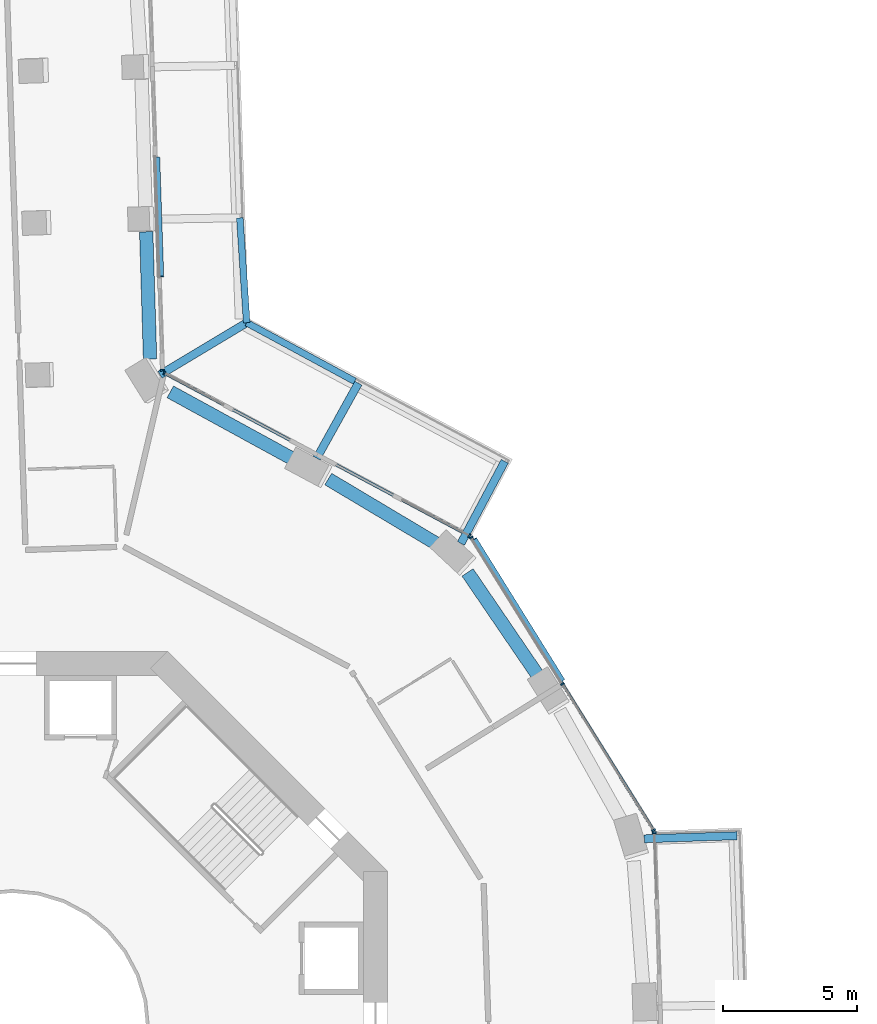
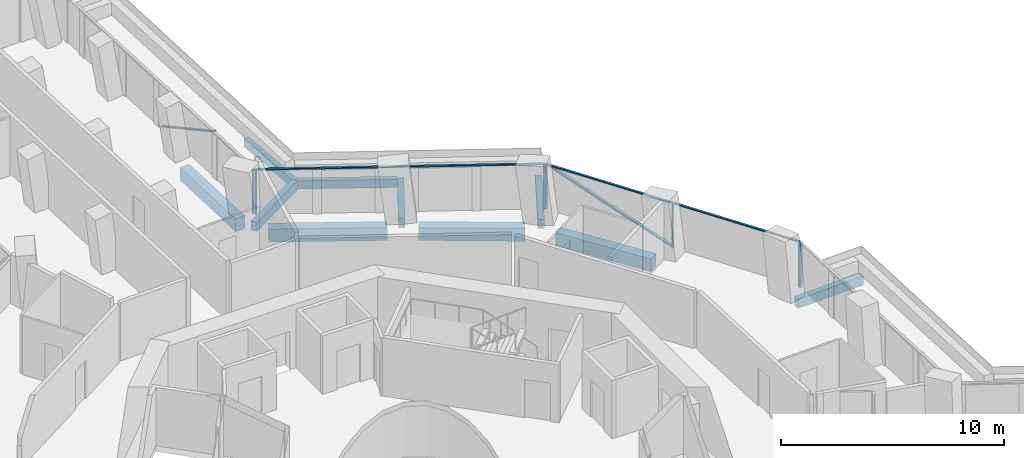
# One storey, part 10 of 27: 11 members, 10 beams, 4 elements without a shape of their own.
"""IFC4 building model written with IfcOpenShell, lengths in metres."""

import ifcopenshell
import ifcopenshell.guid

model = None  # the IFC model being written
_history = None  # IfcOwnerHistory: only IFC2X3 demands one
_inside = {}  # id of a spatial element -> (the spatial element, [elements in it])
_under = {}  # id of a project, library or spatial element -> (it, [spatial elements below it])
_declared = {}  # id of a project -> (the project, [libraries it declares])
_typed = {}  # id of a type object -> (the type object, [elements of that type])
_made_of = {}  # id of a material, layer set ... -> (it, [elements and type objects made of it])


def new_model(schema):
    """Start an empty IFC model of exactly this schema.

    Asked for "IFC4X3", IfcOpenShell would pick the latest addendum, in which some entities
    have other attributes; the version numbers below select the first issue.
    IFC2X3 requires an IfcOwnerHistory on every rooted entity: one is made here for all.
    """
    global model, _history
    if schema == "IFC4X3":
        model = ifcopenshell.file(schema_version=(4, 3, 0, 0))
    else:
        model = ifcopenshell.file(schema=schema)
    _inside.clear()
    _under.clear()
    _declared.clear()
    _typed.clear()
    _made_of.clear()
    _history = None
    if model.schema == "IFC2X3":
        org = make("IfcOrganization", Name="unknown")
        user = make(
            "IfcPersonAndOrganization",
            ThePerson=make("IfcPerson", FamilyName="unknown"),
            TheOrganization=org,
        )
        app = make(
            "IfcApplication",
            ApplicationDeveloper=org,
            Version="unknown",
            ApplicationFullName="unknown",
            ApplicationIdentifier="unknown",
        )
        _history = make(
            "IfcOwnerHistory",
            OwningUser=user,
            OwningApplication=app,
            ChangeAction="ADDED",
            CreationDate=0,
        )
    return model


def make(cls, **values):
    """One entity of the class cls with the attributes given. An attribute that is None is left unset."""
    return model.create_entity(
        cls, **{name: value for name, value in values.items() if value is not None}
    )


def rooted(cls, **values):
    """An entity with a GlobalId (a new one), such as an element, a storey or a relation."""
    return make(cls, GlobalId=ifcopenshell.guid.new(), OwnerHistory=_history, **values)


def si_unit(unit_type, name, prefix=None):
    """IfcSIUnit, for example si_unit("LENGTHUNIT", "METRE", prefix="MILLI")."""
    return make("IfcSIUnit", UnitType=unit_type, Prefix=prefix, Name=name)


def assignment(units):
    """IfcUnitAssignment: the units of a project."""
    return None if units is None else make("IfcUnitAssignment", Units=units)


def point(xyz):
    """IfcCartesianPoint."""
    return None if xyz is None else make("IfcCartesianPoint", Coordinates=xyz)


def direction(xyz):
    """IfcDirection."""
    return None if xyz is None else make("IfcDirection", DirectionRatios=xyz)


def frame(location, z_axis=None, x_axis=None):
    """IfcAxis2Placement3D, a coordinate frame: its origin and axes. An axis left out is left unset."""
    return make(
        "IfcAxis2Placement3D",
        Location=point(location),
        Axis=direction(z_axis),
        RefDirection=direction(x_axis),
    )


def frame_2d(location, x_axis=None):
    """IfcAxis2Placement2D, a coordinate frame in the plane: its origin and x axis."""
    return make(
        "IfcAxis2Placement2D", Location=point(location), RefDirection=direction(x_axis)
    )


def origin():
    """The frame at (0, 0, 0) with its axes left unset."""
    return frame((0.0, 0.0, 0.0))


def origin_2d():
    """The frame at (0, 0) in the plane with its x axis left unset."""
    return frame_2d((0.0, 0.0))


def place(relative_to, where):
    """IfcLocalPlacement: puts the frame where relative to a parent placement (None: the world)."""
    return make(
        "IfcLocalPlacement", PlacementRelTo=relative_to, RelativePlacement=where
    )


def context(
    kind, dimensions, precision=None, world=None, true_north=None, identifier=None
):
    """IfcGeometricRepresentationContext, for example the 3D "Model" context."""
    return make(
        "IfcGeometricRepresentationContext",
        ContextIdentifier=identifier,
        ContextType=kind,
        CoordinateSpaceDimension=dimensions,
        Precision=precision,
        WorldCoordinateSystem=world,
        TrueNorth=true_north,
    )


def subcontext(parent, identifier, kind, view, scale=None):
    """IfcGeometricRepresentationSubContext, for example "Body" below "Model"."""
    return make(
        "IfcGeometricRepresentationSubContext",
        ContextIdentifier=identifier,
        ContextType=kind,
        ParentContext=parent,
        TargetScale=scale,
        TargetView=view,
    )


def project(units=None, contexts=None):
    """IfcProject with its units and contexts."""
    return rooted(
        "IfcProject",
        Name="project",
        RepresentationContexts=contexts,
        UnitsInContext=assignment(units),
    )


def spatial(cls, under=None, at=None, **own):
    """A site, building, storey or space (cls), placed at a placement, below another one or the project."""
    s = rooted(cls, ObjectPlacement=at, **own)
    if under is not None:
        _under.setdefault(under.id(), (under, []))[1].append(s)
    return s


def profile(cls, at=None, kind="AREA", **sizes):
    """A parametric profile (cls). Its sizes go by their IFC names, for example OverallWidth=200.0."""
    return make(cls, ProfileType=kind, Position=at, **sizes)


def rectangle(**sizes):
    """IfcRectangleProfileDef."""
    return profile("IfcRectangleProfileDef", **sizes)


def extrude(swept, where, along, depth):
    """IfcExtrudedAreaSolid: the profile swept, set in the frame where, extruded along a direction by depth."""
    return make(
        "IfcExtrudedAreaSolid",
        SweptArea=swept,
        Position=where,
        ExtrudedDirection=direction(along),
        Depth=depth,
    )


def shape(context_of_items, identifier, shape_type, items):
    """IfcShapeRepresentation: the items that make up one representation, for example the "Body"."""
    return make(
        "IfcShapeRepresentation",
        ContextOfItems=context_of_items,
        RepresentationIdentifier=identifier,
        RepresentationType=shape_type,
        Items=items,
    )


def material(Name=None, Category=None):
    """IfcMaterial."""
    return make("IfcMaterial", Name=Name, Category=Category)


def layer(
    of_material, thickness, ventilated=None, Name=None, Category=None, Priority=None
):
    """IfcMaterialLayer: one layer of a wall or slab, of a material (None: an air gap)."""
    return make(
        "IfcMaterialLayer",
        Material=of_material,
        LayerThickness=thickness,
        IsVentilated=ventilated,
        Name=Name,
        Category=Category,
        Priority=Priority,
    )


def layer_set(layers, Name=None):
    """IfcMaterialLayerSet."""
    return make("IfcMaterialLayerSet", MaterialLayers=layers, LayerSetName=Name)


def material_profile(
    of_material, cross_section, Name=None, Category=None, Priority=None
):
    """IfcMaterialProfile: a cross section and its material."""
    return make(
        "IfcMaterialProfile",
        Name=Name,
        Material=of_material,
        Profile=cross_section,
        Priority=Priority,
        Category=Category,
    )


def profile_set(profiles, Name=None, composite=None):
    """IfcMaterialProfileSet."""
    return make(
        "IfcMaterialProfileSet",
        Name=Name,
        MaterialProfiles=profiles,
        CompositeProfile=composite,
    )


def made_of(thing, what):
    """Note that an element or type object is made of a material, layer set ...; save() writes the relation."""
    if what is not None:
        _made_of.setdefault(what.id(), (what, []))[1].append(thing)
    return thing


def type_object(cls, material=None, **own):
    """A type object (cls), such as IfcWallType, which elements share."""
    return made_of(rooted(cls, **own), material)


def element(
    cls,
    number,
    at=None,
    inside=None,
    cuts=None,
    type_object=None,
    material=None,
    context=None,
    identifier="Body",
    shape_type=None,
    held_by="IfcProductDefinitionShape",
    body=None,
    shapes=None,
    **own,
):
    """One element of the class cls, such as IfcWall. Its Tag is "e" and its number.

    at: its placement. inside: the storey or other place that contains it. cuts: it is an
    opening in that element (IfcRelVoidsElement). A single representation is given by context,
    identifier, shape_type and body (its items); several are given by shapes. held_by: the class
    of the entity that holds the representations. save() writes the other relations.
    """
    e = rooted(cls, Tag="e%d" % number, ObjectPlacement=at, **own)
    if body is not None:
        shapes = [shape(context, identifier, shape_type, body)]
    if shapes is not None:
        e.Representation = make(held_by, Representations=shapes)
    if inside is not None:
        _inside.setdefault(inside.id(), (inside, []))[1].append(e)
    if cuts is not None:
        rooted(
            "IfcRelVoidsElement", RelatingBuildingElement=cuts, RelatedOpeningElement=e
        )
    if type_object is not None:
        _typed.setdefault(type_object.id(), (type_object, []))[1].append(e)
    return made_of(e, material)


def aggregate(whole, parts):
    """IfcRelAggregates: a whole, such as a stair, and the parts it consists of."""
    return rooted("IfcRelAggregates", RelatingObject=whole, RelatedObjects=parts)


def save(model, path):
    """Write the relations noted so far, then the file.

    IfcRelAggregates (storeys below a building ...), IfcRelContainedInSpatialStructure (elements
    in a storey), IfcRelDefinesByType, IfcRelAssociatesMaterial and IfcRelDeclares: one each for
    every whole, place, type object, material and project.
    """
    for whole, parts in _under.values():
        aggregate(whole, parts)
    for where, things in _inside.values():
        rooted(
            "IfcRelContainedInSpatialStructure",
            RelatedElements=things,
            RelatingStructure=where,
        )
    for kind, things in _typed.values():
        rooted("IfcRelDefinesByType", RelatedObjects=things, RelatingType=kind)
    for what, things in _made_of.values():
        rooted("IfcRelAssociatesMaterial", RelatedObjects=things, RelatingMaterial=what)
    for by, libraries in _declared.values():
        rooted("IfcRelDeclares", RelatingContext=by, RelatedDefinitions=libraries)
    model.write(path)


model = new_model("IFC4")

# Units and contexts
model_context = context("Model", 3, precision=1e-05, world=origin(), true_north=direction((0.0, 1.0)))
body_context = subcontext(model_context, "Body", "Model", "MODEL_VIEW")
ifc_project = project(units=[si_unit("LENGTHUNIT", "METRE"), si_unit("AREAUNIT", "SQUARE_METRE"), si_unit("VOLUMEUNIT", "CUBIC_METRE"), si_unit("PLANEANGLEUNIT", "RADIAN"), si_unit("MASSUNIT", "GRAM", prefix="KILO")], contexts=[model_context])

# Site, building, storey
site_placement = place(None, origin())
site = spatial("IfcSite", under=ifc_project, at=site_placement, CompositionType="ELEMENT")
building_placement = place(site_placement, origin())
building = spatial("IfcBuilding", under=site, at=building_placement, Name="Verdalira Terraces Hotel", CompositionType="ELEMENT")
storey_placement = place(building_placement, frame((0.0, 0.0, 42.5)))
storey = spatial("IfcBuildingStorey", under=building, at=storey_placement, Name="L08", CompositionType="ELEMENT", Elevation=42.5)

# Beams
ifc_material_1 = material(Name="Concrete C40", Category="concrete")
ifc_material_profile_1 = material_profile(ifc_material_1, rectangle(XDim=0.300049, YDim=0.5, at=origin_2d()), Name="RC 300X500")
ifc_profile_set_1 = profile_set([ifc_material_profile_1], Name="Concrete C40")
beam_type_1 = type_object("IfcBeamType", Name="Balcony cantilever beam RC 300X500 C40", PredefinedType="BEAM", material=ifc_profile_set_1)
beam_1_placement = place(storey_placement, frame((23.57959, 7.01001, -0.560059), z_axis=(0.999437278, 0.033542903, 0.0), x_axis=(-0.033542903, 0.999437278, 0.0)))
element("IfcBeam", 1, at=beam_1_placement, inside=storey, type_object=beam_type_1, Name="Balcony cantilever beam R38-5", PredefinedType="BEAM", context=body_context, shape_type="SweptSolid", body=[
    extrude(rectangle(XDim=0.300049, YDim=0.5, at=origin_2d()), origin(), (0.0, 0.0, 1.0), 3.457275),
])
beam_2_placement = place(storey_placement, frame((16.742188, 18.02832, -0.560059), z_axis=(0.470686785, 0.882300374, 0.0), x_axis=(-0.882300374, 0.470686785, 0.0)))
element("IfcBeam", 2, at=beam_2_placement, inside=storey, type_object=beam_type_1, Name="Balcony cantilever beam R41-1", PredefinedType="BEAM", context=body_context, shape_type="SweptSolid", body=[
    extrude(rectangle(XDim=0.300049, YDim=0.5, at=origin_2d()), origin(), (0.0, 0.0, 1.0), 3.47168),
])
beam_3_placement = place(storey_placement, frame((11.361816, 21.206055, -0.560059), z_axis=(0.485422722, 0.874279578, 0.0), x_axis=(-0.874279578, 0.485422722, 0.0)))
element("IfcBeam", 3, at=beam_3_placement, inside=storey, type_object=beam_type_1, Name="Balcony cantilever beam R41-2", PredefinedType="BEAM", context=body_context, shape_type="SweptSolid", body=[
    extrude(rectangle(XDim=0.300049, YDim=0.5, at=origin_2d()), origin(), (0.0, 0.0, 1.0), 3.200684),
])
beam_4_placement = place(storey_placement, frame((5.51709, 24.319824, -0.560059), z_axis=(0.857527208, 0.514438615, 0.0), x_axis=(-0.514438615, 0.857527208, 0.0)))
element("IfcBeam", 4, at=beam_4_placement, inside=storey, type_object=beam_type_1, Name="Balcony cantilever beam R41-3", PredefinedType="BEAM", context=body_context, shape_type="SweptSolid", body=[
    extrude(rectangle(XDim=0.300049, YDim=0.5, at=origin_2d()), origin(), (0.0, 0.0, 1.0), 3.77002),
])
ifc_material_2 = material(Name="Concrete C40", Category="concrete")
ifc_material_profile_2 = material_profile(ifc_material_2, rectangle(XDim=0.25, YDim=0.449951, at=origin_2d()), Name="RC 250X450")
ifc_profile_set_2 = profile_set([ifc_material_profile_2], Name="Concrete C40")
beam_type_2 = type_object("IfcBeamType", Name="Balcony edge beam RC 250X450 C40", PredefinedType="BEAM", material=ifc_profile_set_2)
beam_5_placement = place(storey_placement, frame((12.783691, 24.075928, -0.534912), z_axis=(-0.879434964, 0.476019058, 0.0), x_axis=(-0.476019058, -0.879434964, 0.0)))
element("IfcBeam", 5, at=beam_5_placement, inside=storey, type_object=beam_type_2, Name="Balcony edge beam R41-2", PredefinedType="BEAM", context=body_context, shape_type="SweptSolid", body=[
    extrude(rectangle(XDim=0.25, YDim=0.449951, at=origin_2d()), origin(), (0.0, 0.0, 1.0), 4.58667),
])
beam_6_placement = place(storey_placement, frame((8.75, 26.259277, -0.534912), z_axis=(-0.065275802, 0.997867261, 0.0), x_axis=(-0.997867261, -0.065275802, 0.0)))
element("IfcBeam", 6, at=beam_6_placement, inside=storey, type_object=beam_type_2, Name="Balcony edge beam R41-3", PredefinedType="BEAM", context=body_context, shape_type="SweptSolid", body=[
    extrude(rectangle(XDim=0.25, YDim=0.449951, at=origin_2d()), origin(), (0.0, 0.0, 1.0), 3.92334),
])

# Curtain wall, member
ifc_material_3 = material(Name="Clear glass", Category="glass")
ifc_layer_1 = layer(ifc_material_3, 0.14990234375)
ifc_layer_set_1 = layer_set([ifc_layer_1], Name="CW1 curtain wall")
curtain_wall_type_1 = type_object("IfcCurtainWallType", Name="CW1 curtain wall", PredefinedType="NOTDEFINED", material=ifc_layer_set_1)
curtain_wall_1_placement = place(storey_placement, origin())
curtain_wall_1 = element("IfcCurtainWall", 7, at=curtain_wall_1_placement, inside=storey, type_object=curtain_wall_type_1, Name="CW1 curtain wall L08 edge 39", PredefinedType="NOTDEFINED")
ifc_material_4 = material(Name="Terracotta frame", Category="masonry")
ifc_material_profile_3 = material_profile(ifc_material_4, rectangle(XDim=0.060059, YDim=0.149902, at=origin_2d()), Name="MU 60x150")
ifc_profile_set_3 = profile_set([ifc_material_profile_3], Name="Terracotta frame")
member_type_1 = type_object("IfcMemberType", Name="CW1 mullion 60x150", PredefinedType="MULLION", material=ifc_profile_set_3)
member_1_placement = place(storey_placement, frame((23.954346, 7.236328, 0.0), z_axis=(0.0, 0.0, 1.0), x_axis=(-0.03350405, 0.999438582, 0.0)))
member_1 = element("IfcMember", 8, at=member_1_placement, type_object=member_type_1, Name="CW1 mullion", PredefinedType="MULLION", context=body_context, shape_type="SweptSolid", body=[
    extrude(rectangle(XDim=0.060059, YDim=0.149902, at=origin_2d()), origin(), (0.0, 0.0, 1.0), 2.425049),
])
aggregate(curtain_wall_1, [member_1])

# Curtain wall, members
curtain_wall_2_placement = place(storey_placement, origin())
curtain_wall_2 = element("IfcCurtainWall", 9, at=curtain_wall_2_placement, inside=storey, type_object=curtain_wall_type_1, Name="CW1 curtain wall L08 edge 40", PredefinedType="NOTDEFINED")
member_2_placement = place(storey_placement, frame((23.92627, 7.329102, 0.0), z_axis=(0.0, 0.0, 1.0), x_axis=(-0.52873465, 0.848787176, 0.0)))
member_2 = element("IfcMember", 10, at=member_2_placement, type_object=member_type_1, Name="CW1 mullion", PredefinedType="MULLION", context=body_context, shape_type="SweptSolid", body=[
    extrude(rectangle(XDim=0.060059, YDim=0.149902, at=origin_2d()), origin(), (0.0, 0.0, 1.0), 2.425049),
])
member_3_placement = place(storey_placement, frame((20.526611, 12.786621, 0.0), z_axis=(0.0, 0.0, 1.0), x_axis=(-0.52873465, 0.848787176, 0.0)))
member_3 = element("IfcMember", 11, at=member_3_placement, type_object=member_type_1, Name="CW1 mullion", PredefinedType="MULLION", context=body_context, shape_type="SweptSolid", body=[
    extrude(rectangle(XDim=0.060059, YDim=0.149902, at=origin_2d()), origin(), (0.0, 0.0, 1.0), 2.425049),
])
member_4_placement = place(storey_placement, frame((17.126953, 18.244141, 0.0), z_axis=(0.0, 0.0, 1.0), x_axis=(-0.52873465, 0.848787176, 0.0)))
member_4 = element("IfcMember", 12, at=member_4_placement, type_object=member_type_1, Name="CW1 mullion", PredefinedType="MULLION", context=body_context, shape_type="SweptSolid", body=[
    extrude(rectangle(XDim=0.060059, YDim=0.149902, at=origin_2d()), origin(), (0.0, 0.0, 1.0), 2.425049),
])

curtain_wall_3_placement = place(storey_placement, origin())
curtain_wall_3 = element("IfcCurtainWall", 13, at=curtain_wall_3_placement, inside=storey, type_object=curtain_wall_type_1, Name="CW1 curtain wall L08 edge 41", PredefinedType="NOTDEFINED")
member_5_placement = place(storey_placement, frame((17.056152, 18.310303, 0.0), z_axis=(0.0, 0.0, 1.0), x_axis=(-0.882291226, 0.470703932, 0.0)))
member_5 = element("IfcMember", 14, at=member_5_placement, type_object=member_type_1, Name="CW1 mullion", PredefinedType="MULLION", context=body_context, shape_type="SweptSolid", body=[
    extrude(rectangle(XDim=0.060059, YDim=0.149902, at=origin_2d()), origin(), (0.0, 0.0, 1.0), 2.425049),
])
member_6_placement = place(storey_placement, frame((5.674805, 24.38208, 0.0), z_axis=(0.0, 0.0, 1.0), x_axis=(-0.882291226, 0.470703932, 0.0)))
member_6 = element("IfcMember", 15, at=member_6_placement, type_object=member_type_1, Name="CW1 mullion", PredefinedType="MULLION", context=body_context, shape_type="SweptSolid", body=[
    extrude(rectangle(XDim=0.060059, YDim=0.149902, at=origin_2d()), origin(), (0.0, 0.0, 1.0), 2.425049),
])

# Member
ifc_material_5 = material(Name="Terracotta frame", Category="masonry")
ifc_material_profile_4 = material_profile(ifc_material_5, rectangle(XDim=0.110107, YDim=0.064941, at=origin_2d()), Name="TR 65x110")
ifc_profile_set_4 = profile_set([ifc_material_profile_4], Name="Terracotta frame")
member_type_2 = type_object("IfcMemberType", Name="CW1 transom 65x110", PredefinedType="USERDEFINED", material=ifc_profile_set_4)
member_7_placement = place(storey_placement, frame((23.942139, 7.303467, 2.45752), z_axis=(-0.5287329, 0.848788266, 0.0), x_axis=(-0.848788266, -0.5287329, 0.0)))
member_7 = element("IfcMember", 16, at=member_7_placement, type_object=member_type_2, Name="CW1 transom", ObjectType="TRANSOM", PredefinedType="USERDEFINED", context=body_context, shape_type="SweptSolid", body=[
    extrude(rectangle(XDim=0.110107, YDim=0.064941, at=origin_2d()), origin(), (0.0, 0.0, 1.0), 12.919678),
])

member_8_placement = place(storey_placement, frame((17.08252, 18.296143, 2.45752), z_axis=(-0.882295572, 0.470695787, 0.0), x_axis=(-0.470695787, -0.882295572, 0.0)))
member_8 = element("IfcMember", 17, at=member_8_placement, type_object=member_type_2, Name="CW1 transom", ObjectType="TRANSOM", PredefinedType="USERDEFINED", context=body_context, shape_type="SweptSolid", body=[
    extrude(rectangle(XDim=0.110107, YDim=0.064941, at=origin_2d()), origin(), (0.0, 0.0, 1.0), 12.959717),
])

aggregate(curtain_wall_3, [member_5, member_6, member_8])

# Curtain wall, members
ifc_material_6 = material(Name="Clear glass", Category="glass")
ifc_layer_2 = layer(ifc_material_6, 0.14990234375)
ifc_layer_set_2 = layer_set([ifc_layer_2], Name="CW2 curtain wall")
curtain_wall_type_2 = type_object("IfcCurtainWallType", Name="CW2 curtain wall", PredefinedType="NOTDEFINED", material=ifc_layer_set_2)
curtain_wall_4_placement = place(storey_placement, origin())
curtain_wall_4 = element("IfcCurtainWall", 18, at=curtain_wall_4_placement, inside=storey, type_object=curtain_wall_type_2, Name="CW2 curtain wall L08 edge 0", PredefinedType="NOTDEFINED")
ifc_material_7 = material(Name="Terracotta frame", Category="masonry")
ifc_material_profile_5 = material_profile(ifc_material_7, rectangle(XDim=0.070068, YDim=0.149902, at=origin_2d()), Name="MU 70x150")
ifc_profile_set_5 = profile_set([ifc_material_profile_5], Name="Terracotta frame")
member_type_3 = type_object("IfcMemberType", Name="CW2 mullion 70x150", PredefinedType="MULLION", material=ifc_profile_set_5)
member_9_placement = place(storey_placement, frame((5.607422, 24.494873, 0.0), z_axis=(0.0, 0.0, 1.0), x_axis=(-0.03350405, 0.999438582, 0.0)))
member_9 = element("IfcMember", 19, at=member_9_placement, type_object=member_type_3, Name="CW2 mullion", PredefinedType="MULLION", context=body_context, shape_type="SweptSolid", body=[
    extrude(rectangle(XDim=0.070068, YDim=0.149902, at=origin_2d()), origin(), (0.0, 0.0, 1.0), 2.425049),
])
ifc_material_8 = material(Name="Terracotta frame", Category="masonry")
ifc_material_profile_6 = material_profile(ifc_material_8, rectangle(XDim=0.149902, YDim=0.060059, at=origin_2d()), Name="GB 60x150")
ifc_profile_set_6 = profile_set([ifc_material_profile_6], Name="Terracotta frame")
member_type_4 = type_object("IfcMemberType", Name="Diagonal glazing bar 60x150", PredefinedType="USERDEFINED", material=ifc_profile_set_6)
member_10_placement = place(storey_placement, frame((5.581543, 27.984131, 2.397705), z_axis=(-0.029553389, 0.881554791, -0.471155756), x_axis=(-0.999438538, -0.033505343, 0.0)))
member_10 = element("IfcMember", 20, at=member_10_placement, type_object=member_type_4, Name="Diagonal glazing bar", ObjectType="GLAZING BAR", PredefinedType="USERDEFINED", context=body_context, shape_type="SweptSolid", body=[
    extrude(rectangle(XDim=0.149902, YDim=0.060059, at=origin_2d()), origin(), (0.0, 0.0, 1.0), 5.031006),
])
aggregate(curtain_wall_4, [member_9, member_10])

# Member
member_11_placement = place(storey_placement, frame((20.546143, 12.923096, 0.028809), z_axis=(-0.494130751, 0.793258165, 0.355775608), x_axis=(-0.848793531, -0.528724447, 0.0)))
member_11 = element("IfcMember", 21, at=member_11_placement, type_object=member_type_4, Name="Diagonal glazing bar", ObjectType="GLAZING BAR", PredefinedType="USERDEFINED", context=body_context, shape_type="SweptSolid", body=[
    extrude(rectangle(XDim=0.149902, YDim=0.060059, at=origin_2d()), origin(), (0.0, 0.0, 1.0), 6.654297),
])

aggregate(curtain_wall_2, [member_2, member_3, member_4, member_7, member_11])

# Beams
ifc_material_9 = material(Name="Concrete C70", Category="concrete")
ifc_material_profile_7 = material_profile(ifc_material_9, rectangle(XDim=0.5, YDim=0.699951, at=origin_2d()), Name="RC 500X700")
ifc_profile_set_7 = profile_set([ifc_material_profile_7], Name="Concrete C70")
beam_type_3 = type_object("IfcBeamType", Name="Spandrel beam RC 500X700 C70", PredefinedType="SPANDREL", material=ifc_profile_set_7)
beam_7_placement = place(storey_placement, frame((5.14624, 24.909668, -0.659912), z_axis=(-0.030300029, 0.999540849, 0.0), x_axis=(-0.999540849, -0.030300029, 0.0)))
element("IfcBeam", 22, at=beam_7_placement, inside=storey, type_object=beam_type_3, Name="Spandrel beam B01", PredefinedType="SPANDREL", context=body_context, shape_type="SweptSolid", body=[
    extrude(rectangle(XDim=0.5, YDim=0.699951, at=origin_2d()), origin(), (0.0, 0.0, 1.0), 4.74585),
])
beam_8_placement = place(storey_placement, frame((19.668701, 13.017822, -0.659912), z_axis=(-0.563566207, 0.826070899, 0.0), x_axis=(-0.826070899, -0.563566207, 0.0)))
element("IfcBeam", 23, at=beam_8_placement, inside=storey, type_object=beam_type_3, Name="Spandrel beam B33", PredefinedType="SPANDREL", context=body_context, shape_type="SweptSolid", body=[
    extrude(rectangle(XDim=0.5, YDim=0.699951, at=origin_2d()), origin(), (0.0, 0.0, 1.0), 4.755371),
])
beam_9_placement = place(storey_placement, frame((15.877441, 17.989502, -0.659912), z_axis=(-0.85873079, 0.512427, 0.0), x_axis=(-0.512427, -0.85873079, 0.0)))
element("IfcBeam", 24, at=beam_9_placement, inside=storey, type_object=beam_type_3, Name="Spandrel beam B34", PredefinedType="SPANDREL", context=body_context, shape_type="SweptSolid", body=[
    extrude(rectangle(XDim=0.5, YDim=0.699951, at=origin_2d()), origin(), (0.0, 0.0, 1.0), 4.758789),
])
beam_10_placement = place(storey_placement, frame((10.561523, 21.131104, -0.659912), z_axis=(-0.877329419, 0.479888622, 0.0), x_axis=(-0.479888622, -0.877329419, 0.0)))
element("IfcBeam", 25, at=beam_10_placement, inside=storey, type_object=beam_type_3, Name="Spandrel beam B35", PredefinedType="SPANDREL", context=body_context, shape_type="SweptSolid", body=[
    extrude(rectangle(XDim=0.5, YDim=0.699951, at=origin_2d()), origin(), (0.0, 0.0, 1.0), 5.312256),
])

save(model, "model.ifc")
